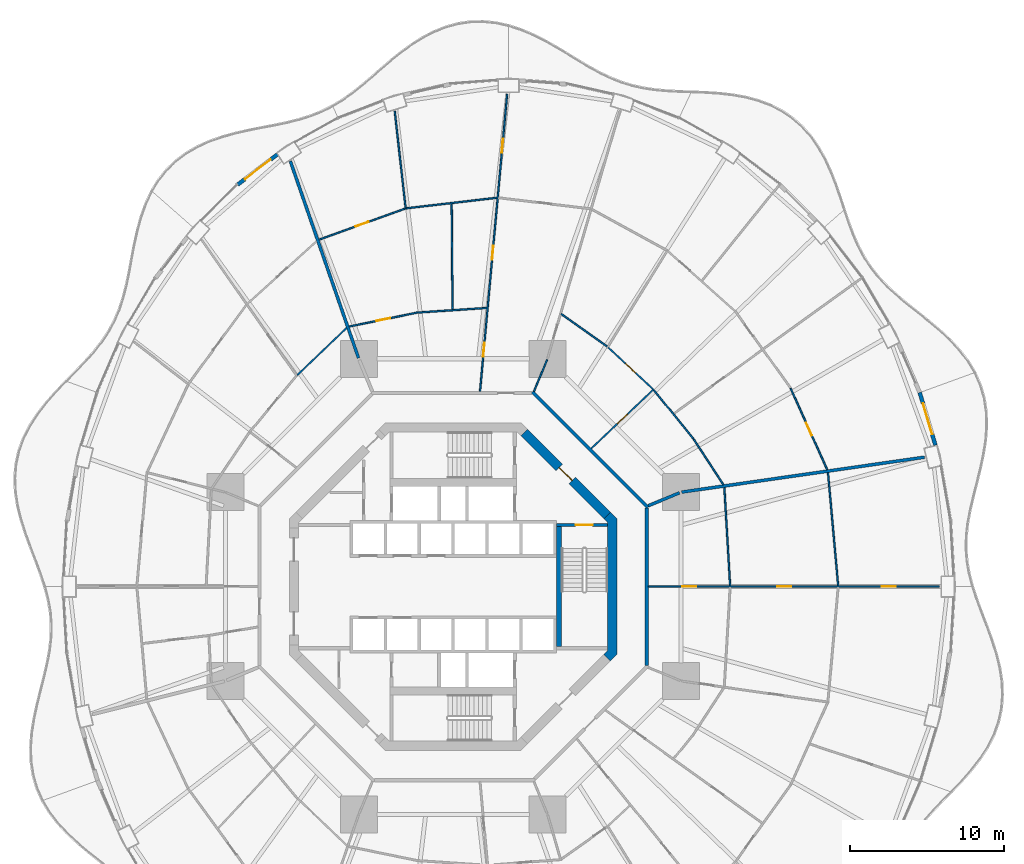
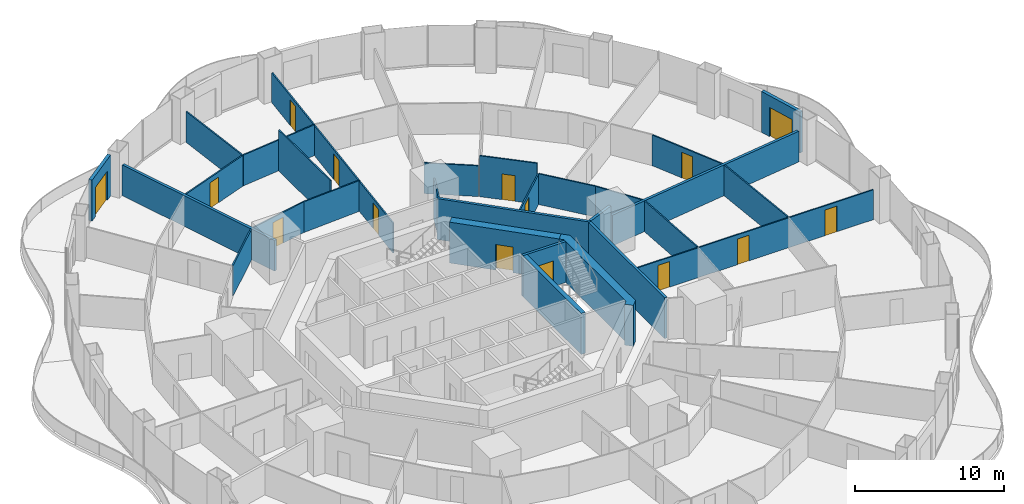
# One storey, part 18 of 22: 29 walls, 15 doors, 15 openings.
"""IFC4 building model written with IfcOpenShell, lengths in metres."""

from ifc_helpers import new_model, si_unit, direction, frame, frame_2d, origin, place, context, subcontext, project, spatial, polyline, rectangle, outline, extrude, material, layer, layer_set, type_object, element, fill, save


model = new_model("IFC4")

# Units and contexts
model_context = context("Model", 3, precision=1e-05, world=origin(), true_north=direction((0.0, 1.0)))
body_context = subcontext(model_context, "Body", "Model", "MODEL_VIEW")
ifc_project = project(units=[si_unit("LENGTHUNIT", "METRE"), si_unit("AREAUNIT", "SQUARE_METRE"), si_unit("VOLUMEUNIT", "CUBIC_METRE"), si_unit("PLANEANGLEUNIT", "RADIAN"), si_unit("MASSUNIT", "GRAM", prefix="KILO")], contexts=[model_context])

# Site, building, storey
site_placement = place(None, origin())
site = spatial("IfcSite", under=ifc_project, at=site_placement, CompositionType="ELEMENT")
building_placement = place(site_placement, origin())
building = spatial("IfcBuilding", under=site, at=building_placement, Name="Nagisa Residences", CompositionType="ELEMENT")
storey_placement = place(building_placement, frame((0.0, 0.0, 64.0)))
storey = spatial("IfcBuildingStorey", under=building, at=storey_placement, Name="L15", CompositionType="ELEMENT", Elevation=64.0)

# Walls
ifc_material_1 = material(Name="Gypsum board on steel studs", Category="steel")
ifc_layer_1 = layer(ifc_material_1, 0.199951171875)
ifc_layer_set_1 = layer_set([ifc_layer_1], Name="Apartment compartment wall EI60 200")
wall_type_1 = type_object("IfcWallType", Name="Apartment compartment wall EI60 200", PredefinedType="PARTITIONING", material=ifc_layer_set_1)
wall_1_placement = place(storey_placement, frame((12.6572265625, 5.24267578125, 0.0), z_axis=(0.0, 0.0, 1.0), x_axis=(0.923853160736, 0.382747093259, 0.0)))
element("IfcWall", 1, at=wall_1_placement, inside=storey, type_object=wall_type_1, Name="wall:L15:u00", PredefinedType="PARTITIONING", context=body_context, shape_type="SweptSolid", body=[
    extrude(rectangle(XDim=2.199951171875, YDim=0.199951171875, at=frame_2d((1.10009765625, 0.0))), origin(), (0.0, 0.0, 1.0), 3.35009765625),
])
wall_2_placement = place(storey_placement, frame((14.83154296875, 6.130126953125, 0.0), z_axis=(0.0, 0.0, 1.0), x_axis=(0.989836541293, 0.142209779978, 0.0)))
element("IfcWall", 2, at=wall_2_placement, inside=storey, type_object=wall_type_1, Name="wall:L15:u01", PredefinedType="PARTITIONING", context=body_context, shape_type="SweptSolid", body=[
    extrude(rectangle(XDim=15.9091796875, YDim=0.199951171875, at=frame_2d((7.95458984375, 0.0))), origin(), (0.0, 0.0, 1.0), 2.514892578125),
])
wall_3_placement = place(storey_placement, frame((-6.139404296875, 14.829345703125, 0.0), z_axis=(0.0, 0.0, 1.0), x_axis=(-0.327178799566, 0.944962450637, 0.0)))
element("IfcWall", 3, at=wall_3_placement, inside=storey, type_object=wall_type_1, Name="wall:L15:u03", PredefinedType="PARTITIONING", context=body_context, shape_type="SweptSolid", body=[
    extrude(rectangle(XDim=13.517333984375, YDim=0.199951171875, at=frame_2d((6.7587890625, 0.0))), origin(), (0.0, 0.0, 1.0), 2.514892578125),
])
ifc_material_2 = material(Name="Gypsum board on steel studs", Category="steel")
ifc_layer_2 = layer(ifc_material_2, 0.199951171875)
ifc_layer_set_2 = layer_set([ifc_layer_2], Name="Apartment entry wall EI60 200")
wall_type_2 = type_object("IfcWallType", Name="Apartment entry wall EI60 200", PredefinedType="PARTITIONING", material=ifc_layer_set_2)
wall_4_placement = place(storey_placement, frame((12.564697265625, -5.1044921875, 0.0), z_axis=(0.0, 0.0, 1.0), x_axis=(0.0, 1.0, 0.0)))
element("IfcWall", 4, at=wall_4_placement, inside=storey, type_object=wall_type_2, Name="wall:L15:u06", PredefinedType="PARTITIONING", context=body_context, shape_type="SweptSolid", body=[
    extrude(rectangle(XDim=10.208984375, YDim=0.199951171875, at=frame_2d((5.1044921875, 0.0))), origin(), (0.0, 0.0, 1.0), 3.35009765625),
])
wall_5_placement = place(storey_placement, frame((12.635498046875, 5.1337890625, 0.0), z_axis=(0.0, 0.0, 1.0), x_axis=(-0.707106781187, 0.707106781187, 0.0)))
element("IfcWall", 5, at=wall_5_placement, inside=storey, type_object=wall_type_2, Name="wall:L15:u07", PredefinedType="PARTITIONING", context=body_context, shape_type="SweptSolid", body=[
    extrude(rectangle(XDim=10.609130859375, YDim=0.199951171875, at=frame_2d((5.3046875, 0.0))), origin(), (0.0, 0.0, 1.0), 3.35009765625),
])

# Wall, openings, doors
ifc_material_3 = material(Name="Gypsum board on steel studs", Category="steel")
ifc_layer_3 = layer(ifc_material_3, 0.10009765625)
ifc_layer_set_3 = layer_set([ifc_layer_3], Name="Apartment partition 100")
wall_type_3 = type_object("IfcWallType", Name="Apartment partition 100", PredefinedType="PARTITIONING", material=ifc_layer_set_3)
wall_6_placement = place(storey_placement, frame((12.664794921875, 0.0, 0.0), z_axis=(0.0, 0.0, 1.0), x_axis=(1.0, 0.0, 0.0)))
wall_6 = element("IfcWall", 6, at=wall_6_placement, inside=storey, type_object=wall_type_3, Name="wall:L15:u14", PredefinedType="PARTITIONING", context=body_context, shape_type="SweptSolid", body=[
    extrude(rectangle(XDim=18.88525390625, YDim=0.10009765625, at=frame_2d((9.442626953125, 0.0))), origin(), (0.0, 0.0, 1.0), 2.447021484375),
])
opening_1_placement = place(wall_6_placement, frame((2.204833984375, 0.0, 0.0)))
opening_1 = element("IfcOpeningElement", 7, at=opening_1_placement, cuts=wall_6, Name="Opening L15-U05", PredefinedType="OPENING", context=body_context, shape_type="SweptSolid", body=[
    extrude(rectangle(XDim=0.89990234375, YDim=2.10009765625, at=frame_2d((0.449951171875, 1.050048828125))), frame((0.0, 0.06005859375, 0.0), z_axis=(0.0, -1.0, 0.0), x_axis=(1.0, 0.0, 0.0)), (0.0, 0.0, 1.0), 0.1201171875),
])
opening_2_placement = place(wall_6_placement, frame((8.36572265625, 0.0, 0.0)))
opening_2 = element("IfcOpeningElement", 8, at=opening_2_placement, cuts=wall_6, Name="Opening L15-U10", PredefinedType="OPENING", context=body_context, shape_type="SweptSolid", body=[
    extrude(rectangle(XDim=0.89990234375, YDim=2.10009765625, at=frame_2d((0.449951171875, 1.050048828125))), frame((0.0, 0.06005859375, 0.0), z_axis=(0.0, -1.0, 0.0), x_axis=(1.0, 0.0, 0.0)), (0.0, 0.0, 1.0), 0.1201171875),
])
opening_3_placement = place(wall_6_placement, frame((15.153564453125, 0.0, 0.0)))
opening_3 = element("IfcOpeningElement", 9, at=opening_3_placement, cuts=wall_6, Name="Opening L15-U16", PredefinedType="OPENING", context=body_context, shape_type="SweptSolid", body=[
    extrude(rectangle(XDim=0.89990234375, YDim=2.10009765625, at=frame_2d((0.449951171875, 1.050048828125))), frame((0.0, 0.06005859375, 0.0), z_axis=(0.0, -1.0, 0.0), x_axis=(1.0, 0.0, 0.0)), (0.0, 0.0, 1.0), 0.1201171875),
])
ifc_material_4 = material(Name="Timber door set", Category="wood")
door_type_1 = type_object("IfcDoorType", Name="Apartment door 900x2100", OperationType="NOTDEFINED", PredefinedType="DOOR", material=ifc_material_4)
door_1_placement = place(opening_1_placement, origin())
door_1 = element("IfcDoor", 10, at=door_1_placement, inside=storey, type_object=door_type_1, Name="Door to laundry, Apartment 15A", OperationType="SINGLE_SWING_LEFT", OverallHeight=2.10009765625, OverallWidth=0.89990234375, PredefinedType="DOOR", context=body_context, shape_type="SweptSolid", body=[
    extrude(rectangle(XDim=0.89990234375, YDim=2.10009765625, at=frame_2d((0.449951171875, 1.050048828125))), frame((0.0, 0.02490234375, 0.0), z_axis=(0.0, -1.0, 0.0), x_axis=(1.0, 0.0, 0.0)), (0.0, 0.0, 1.0), 0.050048828125),
])
fill(opening_1, door_1)
door_2_placement = place(opening_2_placement, origin())
door_2 = element("IfcDoor", 11, at=door_2_placement, inside=storey, type_object=door_type_1, Name="Door to dining room, Apartment 15A", OperationType="SINGLE_SWING_RIGHT", OverallHeight=2.10009765625, OverallWidth=0.89990234375, PredefinedType="DOOR", context=body_context, shape_type="SweptSolid", body=[
    extrude(rectangle(XDim=0.89990234375, YDim=2.10009765625, at=frame_2d((0.449951171875, 1.050048828125))), frame((0.0, 0.02490234375, 0.0), z_axis=(0.0, -1.0, 0.0), x_axis=(1.0, 0.0, 0.0)), (0.0, 0.0, 1.0), 0.050048828125),
])
fill(opening_2, door_2)
door_3_placement = place(opening_3_placement, origin())
door_3 = element("IfcDoor", 12, at=door_3_placement, inside=storey, type_object=door_type_1, Name="Door to dining room, Apartment 15A", OperationType="SINGLE_SWING_RIGHT", OverallHeight=2.10009765625, OverallWidth=0.89990234375, PredefinedType="DOOR", context=body_context, shape_type="SweptSolid", body=[
    extrude(rectangle(XDim=0.89990234375, YDim=2.10009765625, at=frame_2d((0.449951171875, 1.050048828125))), frame((0.0, 0.02490234375, 0.0), z_axis=(0.0, -1.0, 0.0), x_axis=(1.0, 0.0, 0.0)), (0.0, 0.0, 1.0), 0.050048828125),
])
fill(opening_3, door_3)

# Walls
wall_7_placement = place(storey_placement, frame((17.971435546875, 0.0498046875, 0.0), z_axis=(0.0, 0.0, 1.0), x_axis=(-0.058513659907, 0.998286607946, 0.0)))
element("IfcWall", 13, at=wall_7_placement, inside=storey, type_object=wall_type_3, Name="wall:L15:u15", PredefinedType="PARTITIONING", context=body_context, shape_type="SweptSolid", body=[
    extrude(rectangle(XDim=6.387939453125, YDim=0.10009765625, at=frame_2d((3.19384765625, 0.0))), origin(), (0.0, 0.0, 1.0), 2.514892578125),
])
wall_8_placement = place(storey_placement, frame((24.982177734375, 0.0498046875, 0.0), z_axis=(0.0, 0.0, 1.0), x_axis=(-0.08944290521, 0.995991951126, 0.0)))
element("IfcWall", 14, at=wall_8_placement, inside=storey, type_object=wall_type_3, Name="wall:L15:u17", PredefinedType="PARTITIONING", context=body_context, shape_type="SweptSolid", body=[
    extrude(rectangle(XDim=7.37255859375, YDim=0.10009765625, at=frame_2d((3.686279296875, 0.0))), origin(), (0.0, 0.0, 1.0), 2.514892578125),
])
wall_9_placement = place(storey_placement, frame((17.537109375, 6.6103515625, 0.0), z_axis=(0.0, 0.0, 1.0), x_axis=(-0.547637987196, 0.836715384692, 0.0)))
element("IfcWall", 15, at=wall_9_placement, inside=storey, type_object=wall_type_3, Name="wall:L15:u19", PredefinedType="PARTITIONING", context=body_context, shape_type="SweptSolid", body=[
    extrude(rectangle(XDim=3.52001953125, YDim=0.10009765625, at=frame_2d((1.760009765625, 0.0))), origin(), (0.0, 0.0, 1.0), 2.514892578125),
])

# Wall, opening, door
wall_10_placement = place(storey_placement, frame((24.272705078125, 7.583740234375, 0.0), z_axis=(0.0, 0.0, 1.0), x_axis=(-0.410201529109, 0.911994904326, 0.0)))
wall_10 = element("IfcWall", 16, at=wall_10_placement, inside=storey, type_object=wall_type_3, Name="wall:L15:u20", PredefinedType="PARTITIONING", context=body_context, shape_type="SweptSolid", body=[
    extrude(rectangle(XDim=5.786865234375, YDim=0.10009765625, at=frame_2d((2.8935546875, 0.0))), origin(), (0.0, 0.0, 1.0), 2.514892578125),
])
opening_4_placement = place(wall_10_placement, frame((2.443603515625, 0.0, 0.0)))
opening_4 = element("IfcOpeningElement", 17, at=opening_4_placement, cuts=wall_10, Name="Opening L15-U41", PredefinedType="OPENING", context=body_context, shape_type="SweptSolid", body=[
    extrude(rectangle(XDim=0.89990234375, YDim=2.10009765625, at=frame_2d((0.449951171875, 1.050048828125))), frame((0.0, 0.06005859375, 0.0), z_axis=(0.0, -1.0, 0.0), x_axis=(1.0, 0.0, 0.0)), (0.0, 0.0, 1.0), 0.1201171875),
])
door_4_placement = place(opening_4_placement, frame((0.89990234375, 0.0, 0.0), x_axis=(-1.0, 0.0, 0.0)))
door_4 = element("IfcDoor", 18, at=door_4_placement, inside=storey, type_object=door_type_1, Name="Door to family room, Apartment 15B", OperationType="SINGLE_SWING_RIGHT", OverallHeight=2.10009765625, OverallWidth=0.89990234375, PredefinedType="DOOR", context=body_context, shape_type="SweptSolid", body=[
    extrude(rectangle(XDim=0.89990234375, YDim=2.10009765625, at=frame_2d((0.449951171875, 1.050048828125))), frame((0.0, 0.02490234375, 0.0), z_axis=(0.0, -1.0, 0.0), x_axis=(1.0, 0.0, 0.0)), (0.0, 0.0, 1.0), 0.050048828125),
])
fill(opening_4, door_4)

# Wall
wall_11_placement = place(storey_placement, frame((15.613525390625, 9.55859375, 0.0), z_axis=(0.0, 0.0, 1.0), x_axis=(-0.63012473344, 0.776493928056, 0.0)))
element("IfcWall", 19, at=wall_11_placement, inside=storey, type_object=wall_type_3, Name="wall:L15:u21", PredefinedType="PARTITIONING", context=body_context, shape_type="SweptSolid", body=[
    extrude(rectangle(XDim=4.1064453125, YDim=0.10009765625, at=frame_2d((2.05322265625, 0.0))), origin(), (0.0, 0.0, 1.0), 2.514892578125),
])

# Wall, opening, door
wall_12_placement = place(storey_placement, frame((8.95703125, 8.953369140625, 0.0), z_axis=(0.0, 0.0, 1.0), x_axis=(0.725253319157, 0.688482115273, 0.0)))
wall_12 = element("IfcWall", 20, at=wall_12_placement, inside=storey, type_object=wall_type_3, Name="wall:L15:u24", PredefinedType="PARTITIONING", context=body_context, shape_type="SweptSolid", body=[
    extrude(rectangle(XDim=5.616943359375, YDim=0.10009765625, at=frame_2d((2.80859375, 0.0))), origin(), (0.0, 0.0, 1.0), 2.447021484375),
])
opening_5_placement = place(wall_12_placement, frame((2.33349609375, 0.0, 0.0)))
opening_5 = element("IfcOpeningElement", 21, at=opening_5_placement, cuts=wall_12, Name="Opening L15-U39", PredefinedType="OPENING", context=body_context, shape_type="SweptSolid", body=[
    extrude(rectangle(XDim=0.89990234375, YDim=2.10009765625, at=frame_2d((0.449951171875, 1.050048828125))), frame((0.0, 0.06005859375, 0.0), z_axis=(0.0, -1.0, 0.0), x_axis=(1.0, 0.0, 0.0)), (0.0, 0.0, 1.0), 0.1201171875),
])
door_5_placement = place(opening_5_placement, frame((0.89990234375, 0.0, 0.0), x_axis=(-1.0, 0.0, 0.0)))
door_5 = element("IfcDoor", 22, at=door_5_placement, inside=storey, type_object=door_type_1, Name="Door to store, Apartment 15B", OperationType="SINGLE_SWING_RIGHT", OverallHeight=2.10009765625, OverallWidth=0.89990234375, PredefinedType="DOOR", context=body_context, shape_type="SweptSolid", body=[
    extrude(rectangle(XDim=0.89990234375, YDim=2.10009765625, at=frame_2d((0.449951171875, 1.050048828125))), frame((0.0, 0.02490234375, 0.0), z_axis=(0.0, -1.0, 0.0), x_axis=(1.0, 0.0, 0.0)), (0.0, 0.0, 1.0), 0.050048828125),
])
fill(opening_5, door_5)

wall_13_placement = place(storey_placement, frame((12.957763671875, 12.820068359375, 0.0), z_axis=(0.0, 0.0, 1.0), x_axis=(-0.732022571638, 0.681280378855, 0.0)))
wall_13 = element("IfcWall", 23, at=wall_13_placement, inside=storey, type_object=wall_type_3, Name="wall:L15:u25", PredefinedType="PARTITIONING", context=body_context, shape_type="SweptSolid", body=[
    extrude(rectangle(XDim=3.9501953125, YDim=0.10009765625, at=frame_2d((1.97509765625, 0.0))), origin(), (0.0, 0.0, 1.0), 3.35009765625),
])
opening_6_placement = place(wall_13_placement, frame((1.525146484375, 0.0, 0.0)))
opening_6 = element("IfcOpeningElement", 24, at=opening_6_placement, cuts=wall_13, Name="Opening L15-U30", PredefinedType="OPENING", context=body_context, shape_type="SweptSolid", body=[
    extrude(rectangle(XDim=0.89990234375, YDim=2.10009765625, at=frame_2d((0.449951171875, 1.050048828125))), frame((0.0, 0.06005859375, 0.0), z_axis=(0.0, -1.0, 0.0), x_axis=(1.0, 0.0, 0.0)), (0.0, 0.0, 1.0), 0.1201171875),
])
door_6_placement = place(opening_6_placement, frame((0.89990234375, 0.0, 0.0), x_axis=(-1.0, 0.0, 0.0)))
door_6 = element("IfcDoor", 25, at=door_6_placement, inside=storey, type_object=door_type_1, Name="Door to family room, Apartment 15B", OperationType="SINGLE_SWING_LEFT", OverallHeight=2.10009765625, OverallWidth=0.89990234375, PredefinedType="DOOR", context=body_context, shape_type="SweptSolid", body=[
    extrude(rectangle(XDim=0.89990234375, YDim=2.10009765625, at=frame_2d((0.449951171875, 1.050048828125))), frame((0.0, 0.02490234375, 0.0), z_axis=(0.0, -1.0, 0.0), x_axis=(1.0, 0.0, 0.0)), (0.0, 0.0, 1.0), 0.050048828125),
])
fill(opening_6, door_6)

# Walls
wall_14_placement = place(storey_placement, frame((9.98876953125, 15.57421875, 0.0), z_axis=(0.0, 0.0, 1.0), x_axis=(-0.81494477814, 0.57953861699, 0.0)))
element("IfcWall", 26, at=wall_14_placement, inside=storey, type_object=wall_type_3, Name="wall:L15:u29", PredefinedType="PARTITIONING", context=body_context, shape_type="SweptSolid", body=[
    extrude(rectangle(XDim=3.644287109375, YDim=0.10009765625, at=frame_2d((1.822265625, 0.0))), origin(), (0.0, 0.0, 1.0), 2.514892578125),
])
wall_15_placement = place(storey_placement, frame((5.24267578125, 12.6572265625, 0.0), z_axis=(0.0, 0.0, 1.0), x_axis=(0.382719158442, 0.923864733477, 0.0)))
element("IfcWall", 27, at=wall_15_placement, inside=storey, type_object=wall_type_3, Name="wall:L15:u31", PredefinedType="PARTITIONING", context=body_context, shape_type="SweptSolid", body=[
    extrude(rectangle(XDim=2.25, YDim=0.10009765625, at=frame_2d((1.125, 0.0))), origin(), (0.0, 0.0, 1.0), 3.35009765625),
])

# Wall, openings, doors
wall_16_placement = place(storey_placement, frame((1.743896484375, 12.664306640625, 0.0), z_axis=(0.0, 0.0, 1.0), x_axis=(0.090893639596, 0.995860605849, 0.0)))
wall_16 = element("IfcWall", 28, at=wall_16_placement, inside=storey, type_object=wall_type_3, Name="wall:L15:u34", PredefinedType="PARTITIONING", context=body_context, shape_type="SweptSolid", body=[
    extrude(rectangle(XDim=19.3740234375, YDim=0.10009765625, at=frame_2d((9.68701171875, 0.0))), origin(), (0.0, 0.0, 1.0), 2.447021484375),
])
opening_7_placement = place(wall_16_placement, frame((2.270263671875, 0.0, 0.0)))
opening_7 = element("IfcOpeningElement", 29, at=opening_7_placement, cuts=wall_16, Name="Opening L15-U29", PredefinedType="OPENING", context=body_context, shape_type="SweptSolid", body=[
    extrude(rectangle(XDim=0.89990234375, YDim=2.10009765625, at=frame_2d((0.449951171875, 1.050048828125))), frame((0.0, 0.06005859375, 0.0), z_axis=(0.0, -1.0, 0.0), x_axis=(1.0, 0.0, 0.0)), (0.0, 0.0, 1.0), 0.1201171875),
])
opening_8_placement = place(wall_16_placement, frame((8.58154296875, 0.0, 0.0)))
opening_8 = element("IfcOpeningElement", 30, at=opening_8_placement, cuts=wall_16, Name="Opening L15-U32", PredefinedType="OPENING", context=body_context, shape_type="SweptSolid", body=[
    extrude(rectangle(XDim=0.89990234375, YDim=2.10009765625, at=frame_2d((0.449951171875, 1.050048828125))), frame((0.0, 0.06005859375, 0.0), z_axis=(0.0, -1.0, 0.0), x_axis=(1.0, 0.0, 0.0)), (0.0, 0.0, 1.0), 0.1201171875),
])
opening_9_placement = place(wall_16_placement, frame((15.54833984375, 0.0, 0.0)))
opening_9 = element("IfcOpeningElement", 31, at=opening_9_placement, cuts=wall_16, Name="Opening L15-U37", PredefinedType="OPENING", context=body_context, shape_type="SweptSolid", body=[
    extrude(rectangle(XDim=0.89990234375, YDim=2.10009765625, at=frame_2d((0.449951171875, 1.050048828125))), frame((0.0, 0.06005859375, 0.0), z_axis=(0.0, -1.0, 0.0), x_axis=(1.0, 0.0, 0.0)), (0.0, 0.0, 1.0), 0.1201171875),
])
door_7_placement = place(opening_7_placement, origin())
door_7 = element("IfcDoor", 32, at=door_7_placement, inside=storey, type_object=door_type_1, Name="Door to store, Apartment 15B", OperationType="SINGLE_SWING_LEFT", OverallHeight=2.10009765625, OverallWidth=0.89990234375, PredefinedType="DOOR", context=body_context, shape_type="SweptSolid", body=[
    extrude(rectangle(XDim=0.89990234375, YDim=2.10009765625, at=frame_2d((0.449951171875, 1.050048828125))), frame((0.0, 0.02490234375, 0.0), z_axis=(0.0, -1.0, 0.0), x_axis=(1.0, 0.0, 0.0)), (0.0, 0.0, 1.0), 0.050048828125),
])
fill(opening_7, door_7)
door_8_placement = place(opening_8_placement, origin())
door_8 = element("IfcDoor", 33, at=door_8_placement, inside=storey, type_object=door_type_1, Name="Door to family bathroom, Apartment 15B", OperationType="SINGLE_SWING_RIGHT", OverallHeight=2.10009765625, OverallWidth=0.89990234375, PredefinedType="DOOR", context=body_context, shape_type="SweptSolid", body=[
    extrude(rectangle(XDim=0.89990234375, YDim=2.10009765625, at=frame_2d((0.449951171875, 1.050048828125))), frame((0.0, 0.02490234375, 0.0), z_axis=(0.0, -1.0, 0.0), x_axis=(1.0, 0.0, 0.0)), (0.0, 0.0, 1.0), 0.050048828125),
])
fill(opening_8, door_8)
door_9_placement = place(opening_9_placement, origin())
door_9 = element("IfcDoor", 34, at=door_9_placement, inside=storey, type_object=door_type_1, Name="Door to dining room, Apartment 15B", OperationType="SINGLE_SWING_LEFT", OverallHeight=2.10009765625, OverallWidth=0.89990234375, PredefinedType="DOOR", context=body_context, shape_type="SweptSolid", body=[
    extrude(rectangle(XDim=0.89990234375, YDim=2.10009765625, at=frame_2d((0.449951171875, 1.050048828125))), frame((0.0, 0.02490234375, 0.0), z_axis=(0.0, -1.0, 0.0), x_axis=(1.0, 0.0, 0.0)), (0.0, 0.0, 1.0), 0.050048828125),
])
fill(opening_9, door_9)

# Walls
wall_17_placement = place(storey_placement, frame((2.1884765625, 18.078857421875, 0.0), z_axis=(0.0, 0.0, 1.0), x_axis=(-0.997791437766, -0.066424744789, 0.0)))
element("IfcWall", 35, at=wall_17_placement, inside=storey, type_object=wall_type_3, Name="wall:L15:u35", PredefinedType="PARTITIONING", context=body_context, shape_type="SweptSolid", body=[
    extrude(rectangle(XDim=4.46923828125, YDim=0.10009765625, at=frame_2d((2.234619140625, 0.0))), origin(), (0.0, 0.0, 1.0), 2.514892578125),
])
wall_18_placement = place(storey_placement, frame((2.841552734375, 25.228759765625, 0.0), z_axis=(0.0, 0.0, 1.0), x_axis=(-0.993255612046, -0.115945198862, 0.0)))
element("IfcWall", 36, at=wall_18_placement, inside=storey, type_object=wall_type_3, Name="wall:L15:u36", PredefinedType="PARTITIONING", context=body_context, shape_type="SweptSolid", body=[
    extrude(rectangle(XDim=5.91259765625, YDim=0.10009765625, at=frame_2d((2.956298828125, 0.0))), origin(), (0.0, 0.0, 1.0), 2.514892578125),
])
wall_19_placement = place(storey_placement, frame((-0.041748046875, 17.98046875, 0.0), z_axis=(0.0, 0.0, 1.0), x_axis=(-0.007692080119, 0.999970415514, 0.0)))
element("IfcWall", 37, at=wall_19_placement, inside=storey, type_object=wall_type_3, Name="wall:L15:u37", PredefinedType="PARTITIONING", context=body_context, shape_type="SweptSolid", body=[
    extrude(rectangle(XDim=6.855712890625, YDim=0.10009765625, at=frame_2d((3.427734375, 0.0))), origin(), (0.0, 0.0, 1.0), 3.35009765625),
])

# Wall, opening, door
wall_20_placement = place(storey_placement, frame((-2.27197265625, 17.788818359375, 0.0), z_axis=(0.0, 0.0, 1.0), x_axis=(-0.979595137747, -0.200981009307, 0.0)))
wall_20 = element("IfcWall", 38, at=wall_20_placement, inside=storey, type_object=wall_type_3, Name="wall:L15:u38", PredefinedType="PARTITIONING", context=body_context, shape_type="SweptSolid", body=[
    extrude(rectangle(XDim=4.5625, YDim=0.10009765625, at=frame_2d((2.28125, 0.0))), origin(), (0.0, 0.0, 1.0), 2.514892578125),
])
opening_10_placement = place(wall_20_placement, frame((1.856201171875, 0.0, 0.0)))
opening_10 = element("IfcOpeningElement", 39, at=opening_10_placement, cuts=wall_20, Name="Opening L15-U33", PredefinedType="OPENING", context=body_context, shape_type="SweptSolid", body=[
    extrude(rectangle(XDim=0.89990234375, YDim=2.10009765625, at=frame_2d((0.449951171875, 1.050048828125))), frame((0.0, 0.06005859375, 0.0), z_axis=(0.0, -1.0, 0.0), x_axis=(1.0, 0.0, 0.0)), (0.0, 0.0, 1.0), 0.1201171875),
])
door_10_placement = place(opening_10_placement, frame((0.89990234375, 0.0, 0.0), x_axis=(-1.0, 0.0, 0.0)))
door_10 = element("IfcDoor", 40, at=door_10_placement, inside=storey, type_object=door_type_1, Name="Door to family room, Apartment 15B", OperationType="SINGLE_SWING_RIGHT", OverallHeight=2.10009765625, OverallWidth=0.89990234375, PredefinedType="DOOR", context=body_context, shape_type="SweptSolid", body=[
    extrude(rectangle(XDim=0.89990234375, YDim=2.10009765625, at=frame_2d((0.449951171875, 1.050048828125))), frame((0.0, 0.02490234375, 0.0), z_axis=(0.0, -1.0, 0.0), x_axis=(1.0, 0.0, 0.0)), (0.0, 0.0, 1.0), 0.050048828125),
])
fill(opening_10, door_10)

# Wall
wall_21_placement = place(storey_placement, frame((-3.0751953125, 24.48779296875, 0.0), z_axis=(0.0, 0.0, 1.0), x_axis=(-0.111705235978, 0.993741384997, 0.0)))
element("IfcWall", 41, at=wall_21_placement, inside=storey, type_object=wall_type_3, Name="wall:L15:u39", PredefinedType="PARTITIONING", context=body_context, shape_type="SweptSolid", body=[
    extrude(rectangle(XDim=6.39501953125, YDim=0.10009765625, at=frame_2d((3.197509765625, 0.0))), origin(), (0.0, 0.0, 1.0), 2.514892578125),
])

# Wall, opening, door
wall_22_placement = place(storey_placement, frame((-3.1279296875, 24.5205078125, 0.0), z_axis=(0.0, 0.0, 1.0), x_axis=(-0.940401494588, -0.340066212636, 0.0)))
wall_22 = element("IfcWall", 42, at=wall_22_placement, inside=storey, type_object=wall_type_3, Name="wall:L15:u40", PredefinedType="PARTITIONING", context=body_context, shape_type="SweptSolid", body=[
    extrude(rectangle(XDim=5.9169921875, YDim=0.10009765625, at=frame_2d((2.95849609375, 0.0))), origin(), (0.0, 0.0, 1.0), 2.514892578125),
])
opening_11_placement = place(wall_22_placement, frame((2.508544921875, 0.0, 0.0)))
opening_11 = element("IfcOpeningElement", 43, at=opening_11_placement, cuts=wall_22, Name="Opening L15-U38", PredefinedType="OPENING", context=body_context, shape_type="SweptSolid", body=[
    extrude(rectangle(XDim=0.89990234375, YDim=2.10009765625, at=frame_2d((0.449951171875, 1.050048828125))), frame((0.0, 0.06005859375, 0.0), z_axis=(0.0, -1.0, 0.0), x_axis=(1.0, 0.0, 0.0)), (0.0, 0.0, 1.0), 0.1201171875),
])
door_11_placement = place(opening_11_placement, frame((0.89990234375, 0.0, 0.0), x_axis=(-1.0, 0.0, 0.0)))
door_11 = element("IfcDoor", 44, at=door_11_placement, inside=storey, type_object=door_type_1, Name="Door to master bedroom, Apartment 15B", OperationType="SINGLE_SWING_LEFT", OverallHeight=2.10009765625, OverallWidth=0.89990234375, PredefinedType="DOOR", context=body_context, shape_type="SweptSolid", body=[
    extrude(rectangle(XDim=0.89990234375, YDim=2.10009765625, at=frame_2d((0.449951171875, 1.050048828125))), frame((0.0, 0.02490234375, 0.0), z_axis=(0.0, -1.0, 0.0), x_axis=(1.0, 0.0, 0.0)), (0.0, 0.0, 1.0), 0.050048828125),
])
fill(opening_11, door_11)

# Wall
wall_23_placement = place(storey_placement, frame((-6.911865234375, 16.782470703125, 0.0), z_axis=(0.0, 0.0, 1.0), x_axis=(-0.722775679202, -0.691082713975, 0.0)))
element("IfcWall", 45, at=wall_23_placement, inside=storey, type_object=wall_type_3, Name="wall:L15:u41", PredefinedType="PARTITIONING", context=body_context, shape_type="SweptSolid", body=[
    extrude(rectangle(XDim=4.43701171875, YDim=0.10009765625, at=frame_2d((2.218505859375, 0.0))), origin(), (0.0, 0.0, 1.0), 2.514892578125),
])

# Wall, opening, door
ifc_material_5 = material(Name="Precast concrete C40/50", Category="concrete")
ifc_layer_4 = layer(ifc_material_5, 0.25)
ifc_layer_set_4 = layer_set([ifc_layer_4], Name="BALCONY DOOR WALL 250")
wall_type_4 = type_object("IfcWallType", Name="BALCONY DOOR WALL 250", PredefinedType="SOLIDWALL", material=ifc_layer_set_4)
wall_24_placement = place(storey_placement, frame((30.272705078125, 12.5927734375, 0.0), z_axis=(0.0, 0.0, 1.0), x_axis=(0.285871309426, -0.958268018065, 0.0)))
wall_24 = element("IfcWall", 46, at=wall_24_placement, inside=storey, type_object=wall_type_4, Name="wall:L15:bay02", PredefinedType="SOLIDWALL", context=body_context, shape_type="SweptSolid", body=[
    extrude(rectangle(XDim=3.5654296875, YDim=0.25, at=frame_2d((1.78271484375, 0.0))), origin(), (0.0, 0.0, 1.0), 3.35009765625),
])
opening_12_placement = place(wall_24_placement, frame((0.732666015625, 0.0, 0.0)))
opening_12 = element("IfcOpeningElement", 47, at=opening_12_placement, cuts=wall_24, Name="Opening BD-L15-01", PredefinedType="OPENING", context=body_context, shape_type="SweptSolid", body=[
    extrude(rectangle(XDim=2.10009765625, YDim=2.39990234375, at=frame_2d((1.050048828125, 1.199951171875))), frame((0.0, 0.135009765625, 0.0), z_axis=(0.0, -1.0, 0.0), x_axis=(1.0, 0.0, 0.0)), (0.0, 0.0, 1.0), 0.27001953125),
])
ifc_material_6 = material(Name="Aluminium and clear glass", Category="aluminium")
door_type_2 = type_object("IfcDoorType", Name="BALCONY SLIDING DOOR 2100x2400", OperationType="SLIDING_TO_LEFT", PredefinedType="DOOR", material=ifc_material_6)
door_12_placement = place(opening_12_placement, origin())
door_12 = element("IfcDoor", 48, at=door_12_placement, inside=storey, type_object=door_type_2, Name="door:L15:bay02", OperationType="SLIDING_TO_LEFT", OverallHeight=2.39990234375, OverallWidth=2.10009765625, PredefinedType="DOOR", context=body_context, shape_type="SweptSolid", body=[
    extrude(rectangle(XDim=2.10009765625, YDim=2.39990234375, at=frame_2d((1.050048828125, 1.199951171875))), frame((0.0, 0.02490234375, 0.0), z_axis=(0.0, -1.0, 0.0), x_axis=(1.0, 0.0, 0.0)), (0.0, 0.0, 1.0), 0.050048828125),
])
fill(opening_12, door_12)

wall_25_placement = place(storey_placement, frame((-13.978515625, 26.0810546875, 0.0), z_axis=(0.0, 0.0, 1.0), x_axis=(0.796022293214, 0.605267303517, 0.0)))
wall_25 = element("IfcWall", 49, at=wall_25_placement, inside=storey, type_object=wall_type_4, Name="wall:L15:bay16", PredefinedType="SOLIDWALL", context=body_context, shape_type="SweptSolid", body=[
    extrude(rectangle(XDim=3.262451171875, YDim=0.25, at=frame_2d((1.63134765625, 0.0))), origin(), (0.0, 0.0, 1.0), 3.35009765625),
])
opening_13_placement = place(wall_25_placement, frame((0.5810546875, 0.0, 0.0)))
opening_13 = element("IfcOpeningElement", 50, at=opening_13_placement, cuts=wall_25, Name="Opening BD-L15-06", PredefinedType="OPENING", context=body_context, shape_type="SweptSolid", body=[
    extrude(rectangle(XDim=2.10009765625, YDim=2.39990234375, at=frame_2d((1.050048828125, 1.199951171875))), frame((0.0, 0.135009765625, 0.0), z_axis=(0.0, -1.0, 0.0), x_axis=(1.0, 0.0, 0.0)), (0.0, 0.0, 1.0), 0.27001953125),
])
door_13_placement = place(opening_13_placement, origin())
door_13 = element("IfcDoor", 51, at=door_13_placement, inside=storey, type_object=door_type_2, Name="door:L15:bay16", OperationType="SLIDING_TO_LEFT", OverallHeight=2.39990234375, OverallWidth=2.10009765625, PredefinedType="DOOR", context=body_context, shape_type="SweptSolid", body=[
    extrude(rectangle(XDim=2.10009765625, YDim=2.39990234375, at=frame_2d((1.050048828125, 1.199951171875))), frame((0.0, 0.02490234375, 0.0), z_axis=(0.0, -1.0, 0.0), x_axis=(1.0, 0.0, 0.0)), (0.0, 0.0, 1.0), 0.050048828125),
])
fill(opening_13, door_13)

ifc_material_7 = material(Name="Concrete C60", Category="concrete")
ifc_layer_5 = layer(ifc_material_7, 0.60009765625)
ifc_layer_set_5 = layer_set([ifc_layer_5], Name="Core shear wall 600")
wall_type_5 = type_object("IfcWallType", Name="Core shear wall 600", PredefinedType="SHEAR", material=ifc_layer_set_5)
wall_26_placement = place(storey_placement, frame((9.98828125, 4.613037109375, 0.0), z_axis=(0.0, 0.0, 1.0), x_axis=(-0.707106781187, 0.707106781187, 0.0)))
wall_26 = element("IfcWall", 52, at=wall_26_placement, inside=storey, type_object=wall_type_5, Name="wall:L15:core:flat1", PredefinedType="SHEAR", context=body_context, shape_type="SweptSolid", body=[
    extrude(rectangle(XDim=7.601806640625, YDim=0.60009765625, at=frame_2d((3.80078125, 0.0))), origin(), (0.0, 0.0, 1.0), 3.35009765625),
])
opening_14_placement = place(wall_26_placement, frame((3.200927734375, 0.0, 0.0)))
opening_14 = element("IfcOpeningElement", 53, at=opening_14_placement, cuts=wall_26, Name="Opening L15-C16", PredefinedType="OPENING", context=body_context, shape_type="SweptSolid", body=[
    extrude(rectangle(XDim=1.199951171875, YDim=2.10009765625, at=frame_2d((0.60009765625, 1.050048828125))), frame((0.0, 0.31005859375, 0.0), z_axis=(0.0, -1.0, 0.0), x_axis=(1.0, 0.0, 0.0)), (0.0, 0.0, 1.0), 0.6201171875),
])
ifc_material_8 = material(Name="Steel fire door", Category="steel")
door_type_3 = type_object("IfcDoorType", Name="Fire door EI60 1200x2100 single swing", OperationType="NOTDEFINED", PredefinedType="DOOR", material=ifc_material_8)
door_14_placement = place(opening_14_placement, origin())
door_14 = element("IfcDoor", 54, at=door_14_placement, inside=storey, type_object=door_type_3, Name="Firefighting lobby 1 door L15", OperationType="SINGLE_SWING_RIGHT", OverallHeight=2.10009765625, OverallWidth=1.199951171875, PredefinedType="DOOR", context=body_context, shape_type="SweptSolid", body=[
    extrude(rectangle(XDim=1.199951171875, YDim=2.10009765625, at=frame_2d((0.60009765625, 1.050048828125))), frame((0.0, 0.02490234375, 0.0), z_axis=(0.0, -1.0, 0.0), x_axis=(1.0, 0.0, 0.0)), (0.0, 0.0, 1.0), 0.050048828125),
])
fill(opening_14, door_14)

# Wall
wall_27_placement = place(storey_placement, origin())
element("IfcWall", 55, at=wall_27_placement, inside=storey, type_object=wall_type_5, Name="wall:L15:core:flat0", PredefinedType="SHEAR", context=body_context, shape_type="SweptSolid", body=[
    extrude(outline(polyline([(9.776123046875, -4.40087890625), (10.024658203125, -4.15234375), (10.024658203125, -3.801025390625), (10.024658203125, 4.15234375), (9.776123046875, 4.40087890625), (10.200439453125, 4.8251953125), (10.62451171875, 4.40087890625), (10.62451171875, -4.40087890625), (10.200439453125, -4.8251953125), (9.776123046875, -4.40087890625)])), origin(), (0.0, 0.0, 1.0), 3.35009765625),
])

# Wall, opening, door
ifc_material_9 = material(Name="Concrete C60", Category="concrete")
ifc_layer_6 = layer(ifc_material_9, 0.199951171875)
ifc_layer_set_6 = layer_set([ifc_layer_6], Name="Stair enclosure wall 200")
wall_type_6 = type_object("IfcWallType", Name="Stair enclosure wall 200", PredefinedType="SOLIDWALL", material=ifc_layer_set_6)
wall_28_placement = place(storey_placement, frame((6.699951171875, 4.0, 0.0), z_axis=(0.0, 0.0, 1.0), x_axis=(1.0, 0.0, 0.0)))
wall_28 = element("IfcWall", 56, at=wall_28_placement, inside=storey, type_object=wall_type_6, Name="wall:L15:SE_n", PredefinedType="SOLIDWALL", context=body_context, shape_type="SweptSolid", body=[
    extrude(rectangle(XDim=3.32470703125, YDim=0.199951171875, at=frame_2d((1.662353515625, 0.0))), origin(), (0.0, 0.0, 1.0), 3.35009765625),
])
opening_15_placement = place(wall_28_placement, frame((1.25, 0.0, 0.0)))
opening_15 = element("IfcOpeningElement", 57, at=opening_15_placement, cuts=wall_28, Name="Opening L15-C09", PredefinedType="OPENING", context=body_context, shape_type="SweptSolid", body=[
    extrude(rectangle(XDim=1.10009765625, YDim=2.10009765625, at=frame_2d((0.550048828125, 1.050048828125))), frame((0.0, 0.10986328125, 0.0), z_axis=(0.0, -1.0, 0.0), x_axis=(1.0, 0.0, 0.0)), (0.0, 0.0, 1.0), 0.219970703125),
])
ifc_material_10 = material(Name="Steel fire door", Category="steel")
door_type_4 = type_object("IfcDoorType", Name="Fire door EI90 1100x2100 single swing", OperationType="NOTDEFINED", PredefinedType="DOOR", material=ifc_material_10)
door_15_placement = place(opening_15_placement, frame((1.10009765625, 0.0, 0.0), x_axis=(-1.0, 0.0, 0.0)))
door_15 = element("IfcDoor", 58, at=door_15_placement, inside=storey, type_object=door_type_4, Name="Stair door ST-E L15", OperationType="SINGLE_SWING_LEFT", OverallHeight=2.10009765625, OverallWidth=1.10009765625, PredefinedType="DOOR", context=body_context, shape_type="SweptSolid", body=[
    extrude(rectangle(XDim=1.10009765625, YDim=2.10009765625, at=frame_2d((0.550048828125, 1.050048828125))), frame((0.0, 0.02490234375, 0.0), z_axis=(0.0, -1.0, 0.0), x_axis=(1.0, 0.0, 0.0)), (0.0, 0.0, 1.0), 0.050048828125),
])
fill(opening_15, door_15)

# Wall
wall_29_placement = place(storey_placement, origin())
element("IfcWall", 59, at=wall_29_placement, inside=storey, type_object=wall_type_6, Name="wall:L15:SE_w", PredefinedType="SOLIDWALL", context=body_context, shape_type="SweptSolid", body=[
    extrude(outline(polyline([(7.024658203125, -3.89990234375), (6.699951171875, -3.89990234375), (6.699951171875, 3.89990234375), (7.024658203125, 3.89990234375), (7.024658203125, -3.89990234375)])), origin(), (0.0, 0.0, 1.0), 3.35009765625),
])

save(model, "model.ifc")
